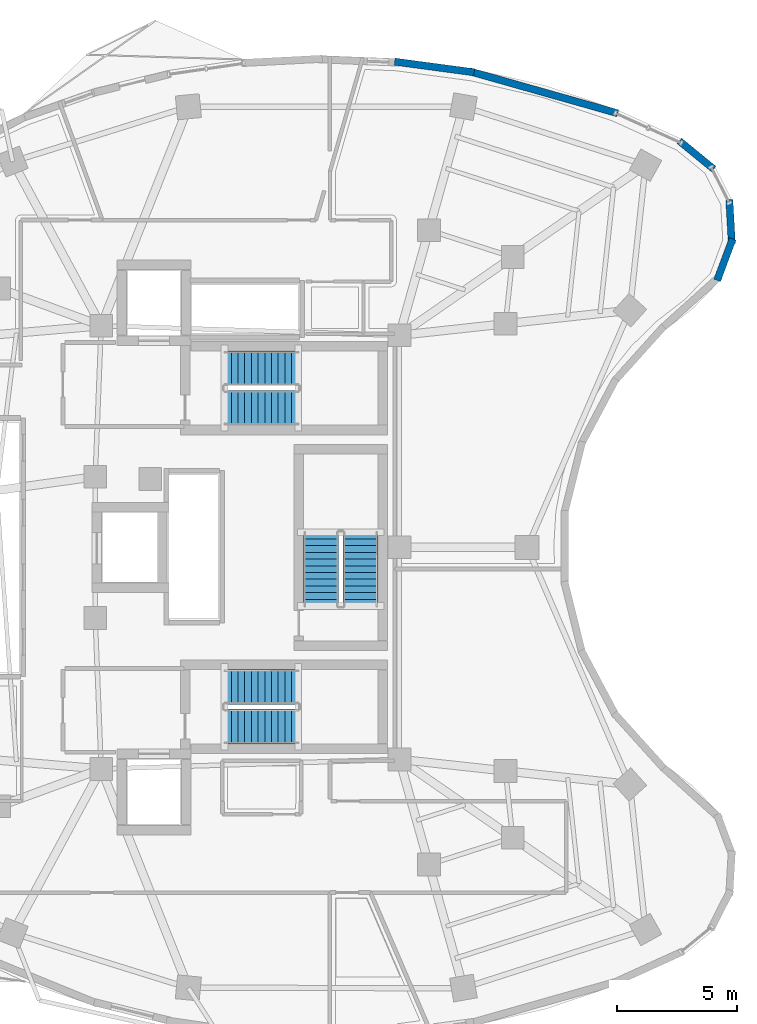
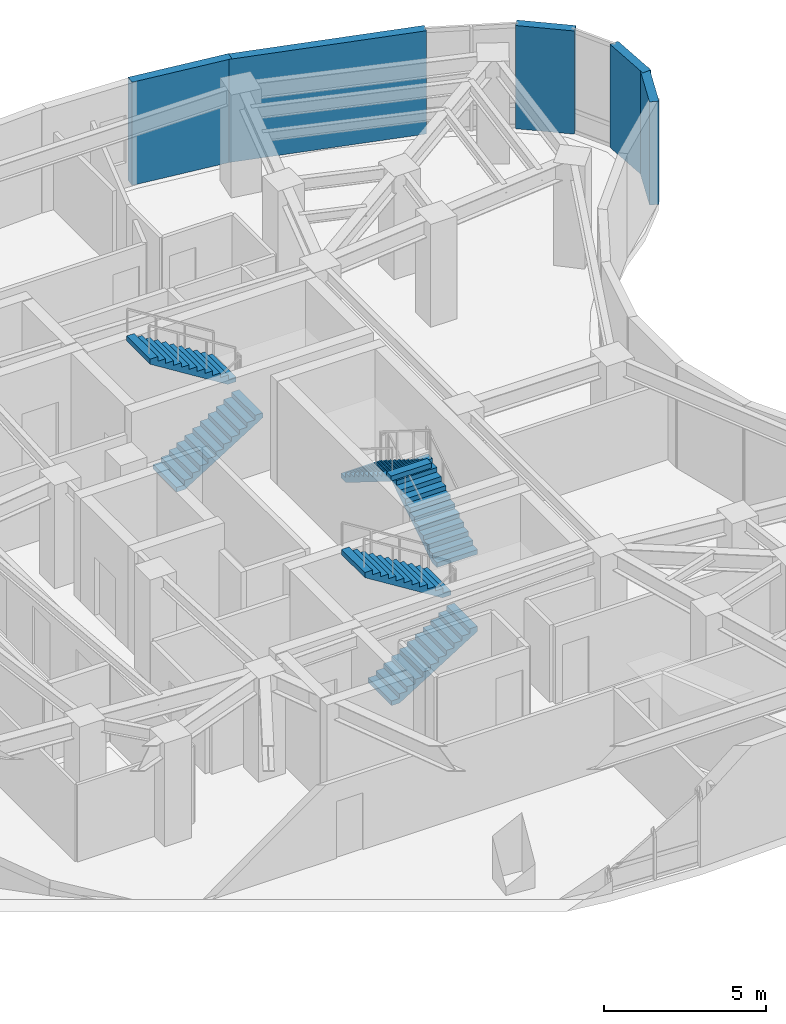
# One storey, part 10 of 13: 6 stair flights, 5 walls, 3 elements without a shape of their own.
"""IFC4 building model written with IfcOpenShell, lengths in metres."""

from ifc_helpers import new_model, si_unit, direction, frame, frame_2d, origin, place, context, subcontext, project, spatial, polyline, rectangle, outline, extrude, material, layer, layer_set, type_object, element, aggregate, save


model = new_model("IFC4")

# Units and contexts
model_context = context("Model", 3, precision=1e-05, world=origin(), true_north=direction((0.0, 1.0)))
body_context = subcontext(model_context, "Body", "Model", "MODEL_VIEW")
ifc_project = project(units=[si_unit("LENGTHUNIT", "METRE"), si_unit("AREAUNIT", "SQUARE_METRE"), si_unit("VOLUMEUNIT", "CUBIC_METRE"), si_unit("PLANEANGLEUNIT", "RADIAN"), si_unit("MASSUNIT", "GRAM", prefix="KILO")], contexts=[model_context])

# Site, building, storey
site_placement = place(None, origin())
site = spatial("IfcSite", under=ifc_project, at=site_placement, CompositionType="ELEMENT")
building_placement = place(site_placement, origin())
building = spatial("IfcBuilding", under=site, at=building_placement, Name="Korentha Bioscience Tower", CompositionType="ELEMENT")
storey_placement = place(building_placement, frame((0.0, 0.0, 171.0)))
storey = spatial("IfcBuildingStorey", under=building, at=storey_placement, Name="L39", CompositionType="ELEMENT", Elevation=171.0)

# Walls
ifc_material_1 = material(Name="Honed Limestone Precast Concrete C40", Category="masonry")
ifc_layer = layer(ifc_material_1, 0.300048828125, Name="Honed Limestone Precast Concrete C40")
ifc_layer_set = layer_set([ifc_layer], Name="Honed Limestone Precast Concrete C40 (EW-ST300)")
wall_type = type_object("IfcWallType", Name="Honed Limestone Cavity Spandrel Wall 300", PredefinedType="STANDARD", material=ifc_layer_set)
wall_1_placement = place(storey_placement, frame((46.659912109375, 45.119384765625, 0.0), z_axis=(0.0, 0.0, 1.0), x_axis=(-0.962163849422, 0.272471515694, 0.0)))
element("IfcWall", 1, at=wall_1_placement, inside=storey, type_object=wall_type, Name="L39 Limestone Perimeter Closure Wall 02", PredefinedType="STANDARD", context=body_context, shape_type="SweptSolid", body=[
    extrude(rectangle(XDim=6.4091796875, YDim=0.300048828125, at=frame_2d((3.20458984375, 0.0))), origin(), (0.0, 0.0, 1.0), 3.89990234375),
])
wall_2_placement = place(storey_placement, frame((40.6689453125, 46.8291015625, 0.0), z_axis=(0.0, 0.0, 1.0), x_axis=(-0.991137940717, 0.132836675925, 0.0)))
element("IfcWall", 2, at=wall_2_placement, inside=storey, type_object=wall_type, Name="L39 Limestone Perimeter Closure Wall 04", PredefinedType="STANDARD", context=body_context, shape_type="SweptSolid", body=[
    extrude(rectangle(XDim=3.3505859375, YDim=0.300048828125, at=frame_2d((1.67529296875, 0.0))), origin(), (0.0, 0.0, 1.0), 3.89990234375),
])
for number, where, z_axis, x_axis, name in (
    (3, (50.811279296875, 38.143310546875, 0.0), (0.0, 0.0, 1.0), (0.348984166898, 0.937128620443, 0.0), "L39 Limestone Perimeter Closure Wall 59"),
    (4, (51.425537109375, 39.6669921875, 0.0), (0.0, 0.0, 1.0), (-0.057485341891, 0.998346350455, 0.0), "L39 Limestone Perimeter Closure Wall 60"),
    (5, (50.668212890625, 42.7919921875, 0.0), (0.0, 0.0, 1.0), (-0.774174596654, 0.632972111467, 0.0), "L39 Limestone Perimeter Closure Wall 62"),
):
    element("IfcWall", number, at=place(storey_placement, frame(where, z_axis=z_axis, x_axis=x_axis)), inside=storey, type_object=wall_type, Name=name, PredefinedType="STANDARD", context=body_context, shape_type="SweptSolid", body=[
        extrude(rectangle(XDim=1.851806640625, YDim=0.300048828125, at=frame_2d((0.92578125, 0.0))), origin(), (0.0, 0.0, 1.0), 3.89990234375),
    ])

# Stair, stair flights
ifc_material_2 = material(Name="Precast Concrete C50", Category="concrete")
stair_type = type_object("IfcStairType", Name="Core Exit Dog-Leg Stair 1450", PredefinedType="HALF_TURN_STAIR", material=ifc_material_2)
stair_1_placement = place(storey_placement, origin())
stair_1 = element("IfcStair", 6, at=stair_1_placement, inside=storey, type_object=stair_type, Name="L39 Tower North Pressurized Exit Stair ST-1", PredefinedType="HALF_TURN_STAIR")
stair_flight_type = type_object("IfcStairFlightType", Name="Core Exit Dog-Leg Stair 1450 Flight", PredefinedType="STRAIGHT", material=ifc_material_2)
stair_flight_1_placement = place(storey_placement, frame((30.25, 32.824951171875, 0.0), z_axis=(0.0, 0.0, 1.0), x_axis=(1.0, 0.0, 0.0)))
stair_flight_1 = element("IfcStairFlight", 7, at=stair_flight_1_placement, type_object=stair_flight_type, Name="ST-1 flight 1", NumberOfRisers=12, NumberOfTreads=11, PredefinedType="STRAIGHT", RiserHeight=0.175, TreadLength=0.28, context=body_context, shape_type="SweptSolid", body=[
    extrude(outline(polyline([(0.0, 0.0), (0.0, 0.175048828125), (0.280029296875, 0.175048828125), (0.280029296875, 0.35009765625), (0.56005859375, 0.35009765625), (0.56005859375, 0.52490234375), (0.840087890625, 0.52490234375), (0.840087890625, 0.699951171875), (1.1201171875, 0.699951171875), (1.1201171875, 0.875), (1.39990234375, 0.875), (1.39990234375, 1.050048828125), (1.679931640625, 1.050048828125), (1.679931640625, 1.22509765625), (1.9599609375, 1.22509765625), (1.9599609375, 1.39990234375), (2.239990234375, 1.39990234375), (2.239990234375, 1.574951171875), (2.52001953125, 1.574951171875), (2.52001953125, 1.75), (2.800048828125, 1.75), (2.800048828125, 1.925048828125), (3.080078125, 1.925048828125), (3.080078125, 2.10009765625), (3.080078125, 1.736328125), (0.3017578125, 0.0), (0.0, 0.0)])), frame((0.0, 0.72509765625, 0.0), z_axis=(0.0, -1.0, 0.0), x_axis=(1.0, 0.0, 0.0)), (0.0, 0.0, 1.0), 1.449951171875),
])
stair_flight_2_placement = place(storey_placement, frame((33.330078125, 34.47509765625, 2.10009765625), z_axis=(0.0, 0.0, 1.0), x_axis=(-1.0, 0.0, 0.0)))
stair_flight_2 = element("IfcStairFlight", 8, at=stair_flight_2_placement, type_object=stair_flight_type, Name="ST-1 flight 2", NumberOfRisers=12, NumberOfTreads=11, PredefinedType="STRAIGHT", RiserHeight=0.175, TreadLength=0.28, context=body_context, shape_type="SweptSolid", body=[
    extrude(outline(polyline([(0.0, 0.0), (0.0, 0.175048828125), (0.280029296875, 0.175048828125), (0.280029296875, 0.35009765625), (0.56005859375, 0.35009765625), (0.56005859375, 0.52490234375), (0.840087890625, 0.52490234375), (0.840087890625, 0.699951171875), (1.1201171875, 0.699951171875), (1.1201171875, 0.875), (1.39990234375, 0.875), (1.39990234375, 1.050048828125), (1.679931640625, 1.050048828125), (1.679931640625, 1.22509765625), (1.9599609375, 1.22509765625), (1.9599609375, 1.39990234375), (2.239990234375, 1.39990234375), (2.239990234375, 1.574951171875), (2.52001953125, 1.574951171875), (2.52001953125, 1.75), (2.800048828125, 1.75), (2.800048828125, 1.925048828125), (3.080078125, 1.925048828125), (3.080078125, 2.10009765625), (3.080078125, 1.736328125), (0.3017578125, 0.0), (0.0, 0.0)])), frame((0.0, 0.72509765625, 0.0), z_axis=(0.0, -1.0, 0.0), x_axis=(1.0, 0.0, 0.0)), (0.0, 0.0, 1.0), 1.449951171875),
])
aggregate(stair_1, [stair_flight_1, stair_flight_2])

stair_2_placement = place(storey_placement, origin())
stair_2 = element("IfcStair", 9, at=stair_2_placement, inside=storey, type_object=stair_type, Name="L39 Tower South Pressurized Exit Stair ST-2", PredefinedType="HALF_TURN_STAIR")
stair_flight_3_placement = place(storey_placement, frame((30.25, 19.52490234375, 0.0), z_axis=(0.0, 0.0, 1.0), x_axis=(1.0, 0.0, 0.0)))
stair_flight_3 = element("IfcStairFlight", 10, at=stair_flight_3_placement, type_object=stair_flight_type, Name="ST-2 flight 1", NumberOfRisers=12, NumberOfTreads=11, PredefinedType="STRAIGHT", RiserHeight=0.175, TreadLength=0.28, context=body_context, shape_type="SweptSolid", body=[
    extrude(outline(polyline([(0.0, 0.0), (0.0, 0.175048828125), (0.280029296875, 0.175048828125), (0.280029296875, 0.35009765625), (0.56005859375, 0.35009765625), (0.56005859375, 0.52490234375), (0.840087890625, 0.52490234375), (0.840087890625, 0.699951171875), (1.1201171875, 0.699951171875), (1.1201171875, 0.875), (1.39990234375, 0.875), (1.39990234375, 1.050048828125), (1.679931640625, 1.050048828125), (1.679931640625, 1.22509765625), (1.9599609375, 1.22509765625), (1.9599609375, 1.39990234375), (2.239990234375, 1.39990234375), (2.239990234375, 1.574951171875), (2.52001953125, 1.574951171875), (2.52001953125, 1.75), (2.800048828125, 1.75), (2.800048828125, 1.925048828125), (3.080078125, 1.925048828125), (3.080078125, 2.10009765625), (3.080078125, 1.736328125), (0.3017578125, 0.0), (0.0, 0.0)])), frame((0.0, 0.72509765625, 0.0), z_axis=(0.0, -1.0, 0.0), x_axis=(1.0, 0.0, 0.0)), (0.0, 0.0, 1.0), 1.449951171875),
])
stair_flight_4_placement = place(storey_placement, frame((33.330078125, 21.175048828125, 2.10009765625), z_axis=(0.0, 0.0, 1.0), x_axis=(-1.0, 0.0, 0.0)))
stair_flight_4 = element("IfcStairFlight", 11, at=stair_flight_4_placement, type_object=stair_flight_type, Name="ST-2 flight 2", NumberOfRisers=12, NumberOfTreads=11, PredefinedType="STRAIGHT", RiserHeight=0.175, TreadLength=0.28, context=body_context, shape_type="SweptSolid", body=[
    extrude(outline(polyline([(0.0, 0.0), (0.0, 0.175048828125), (0.280029296875, 0.175048828125), (0.280029296875, 0.35009765625), (0.56005859375, 0.35009765625), (0.56005859375, 0.52490234375), (0.840087890625, 0.52490234375), (0.840087890625, 0.699951171875), (1.1201171875, 0.699951171875), (1.1201171875, 0.875), (1.39990234375, 0.875), (1.39990234375, 1.050048828125), (1.679931640625, 1.050048828125), (1.679931640625, 1.22509765625), (1.9599609375, 1.22509765625), (1.9599609375, 1.39990234375), (2.239990234375, 1.39990234375), (2.239990234375, 1.574951171875), (2.52001953125, 1.574951171875), (2.52001953125, 1.75), (2.800048828125, 1.75), (2.800048828125, 1.925048828125), (3.080078125, 1.925048828125), (3.080078125, 2.10009765625), (3.080078125, 1.736328125), (0.3017578125, 0.0), (0.0, 0.0)])), frame((0.0, 0.72509765625, 0.0), z_axis=(0.0, -1.0, 0.0), x_axis=(1.0, 0.0, 0.0)), (0.0, 0.0, 1.0), 1.449951171875),
])
aggregate(stair_2, [stair_flight_3, stair_flight_4])

stair_3_placement = place(storey_placement, origin())
stair_3 = element("IfcStair", 12, at=stair_3_placement, inside=storey, type_object=stair_type, Name="L39 Tower Central Pressurized Exit Stair ST-3", PredefinedType="HALF_TURN_STAIR")
stair_flight_5_placement = place(storey_placement, frame((35.925048828125, 24.550048828125, 0.0), z_axis=(0.0, 0.0, 1.0), x_axis=(0.0, 1.0, 0.0)))
stair_flight_5 = element("IfcStairFlight", 13, at=stair_flight_5_placement, type_object=stair_flight_type, Name="ST-3 flight 1", NumberOfRisers=12, NumberOfTreads=11, PredefinedType="STRAIGHT", RiserHeight=0.175, TreadLength=0.28, context=body_context, shape_type="SweptSolid", body=[
    extrude(outline(polyline([(0.0, 0.0), (0.0, 0.175048828125), (0.280029296875, 0.175048828125), (0.280029296875, 0.35009765625), (0.56005859375, 0.35009765625), (0.56005859375, 0.52490234375), (0.840087890625, 0.52490234375), (0.840087890625, 0.699951171875), (1.1201171875, 0.699951171875), (1.1201171875, 0.875), (1.39990234375, 0.875), (1.39990234375, 1.050048828125), (1.679931640625, 1.050048828125), (1.679931640625, 1.22509765625), (1.9599609375, 1.22509765625), (1.9599609375, 1.39990234375), (2.239990234375, 1.39990234375), (2.239990234375, 1.574951171875), (2.52001953125, 1.574951171875), (2.52001953125, 1.75), (2.800048828125, 1.75), (2.800048828125, 1.925048828125), (3.080078125, 1.925048828125), (3.080078125, 2.10009765625), (3.080078125, 1.736328125), (0.3017578125, 0.0), (0.0, 0.0)])), frame((0.0, 0.72509765625, 0.0), z_axis=(0.0, -1.0, 0.0), x_axis=(1.0, 0.0, 0.0)), (0.0, 0.0, 1.0), 1.449951171875),
])
stair_flight_6_placement = place(storey_placement, frame((34.27490234375, 27.6298828125, 2.10009765625), z_axis=(0.0, 0.0, 1.0), x_axis=(0.0, -1.0, 0.0)))
stair_flight_6 = element("IfcStairFlight", 14, at=stair_flight_6_placement, type_object=stair_flight_type, Name="ST-3 flight 2", NumberOfRisers=12, NumberOfTreads=11, PredefinedType="STRAIGHT", RiserHeight=0.175, TreadLength=0.28, context=body_context, shape_type="SweptSolid", body=[
    extrude(outline(polyline([(0.0, 0.0), (0.0, 0.175048828125), (0.280029296875, 0.175048828125), (0.280029296875, 0.35009765625), (0.56005859375, 0.35009765625), (0.56005859375, 0.52490234375), (0.840087890625, 0.52490234375), (0.840087890625, 0.699951171875), (1.1201171875, 0.699951171875), (1.1201171875, 0.875), (1.39990234375, 0.875), (1.39990234375, 1.050048828125), (1.679931640625, 1.050048828125), (1.679931640625, 1.22509765625), (1.9599609375, 1.22509765625), (1.9599609375, 1.39990234375), (2.239990234375, 1.39990234375), (2.239990234375, 1.574951171875), (2.52001953125, 1.574951171875), (2.52001953125, 1.75), (2.800048828125, 1.75), (2.800048828125, 1.925048828125), (3.080078125, 1.925048828125), (3.080078125, 2.10009765625), (3.080078125, 1.736328125), (0.3017578125, 0.0), (0.0, 0.0)])), frame((0.0, 0.72509765625, 0.0), z_axis=(0.0, -1.0, 0.0), x_axis=(1.0, 0.0, 0.0)), (0.0, 0.0, 1.0), 1.449951171875),
])
aggregate(stair_3, [stair_flight_5, stair_flight_6])

save(model, "model.ifc")
